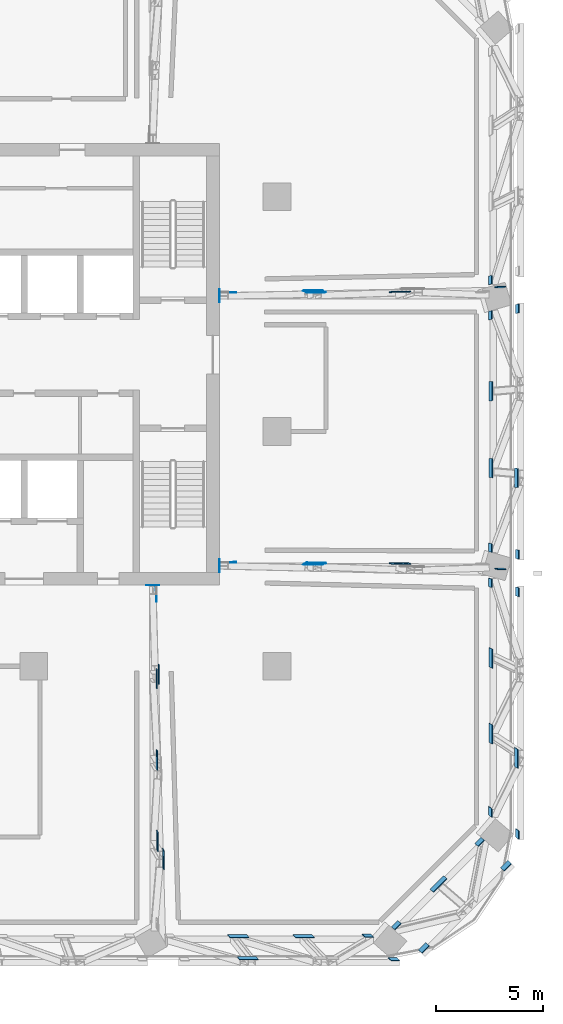
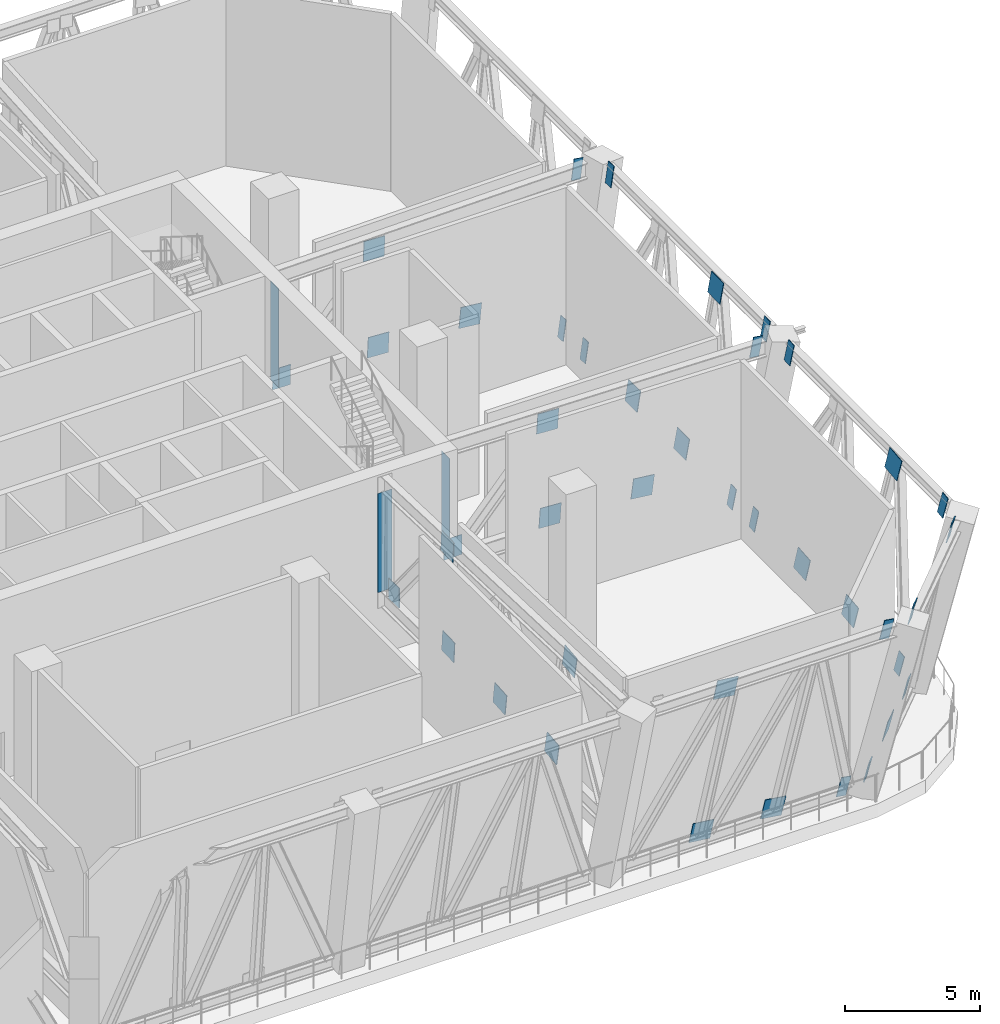
# One storey, part 11 of 24: 44 discrete accessories.
"""IFC4 building model written with IfcOpenShell, lengths in metres."""

from ifc_helpers import new_model, si_unit, direction, frame, origin, origin_2d, place, context, subcontext, project, spatial, rectangle, extrude, material, layer, layer_set, type_object, element, save


model = new_model("IFC4")

# Units and contexts
model_context = context("Model", 3, precision=1e-05, world=origin(), true_north=direction((0.0, 1.0)))
body_context = subcontext(model_context, "Body", "Model", "MODEL_VIEW")
ifc_project = project(units=[si_unit("LENGTHUNIT", "METRE"), si_unit("AREAUNIT", "SQUARE_METRE"), si_unit("VOLUMEUNIT", "CUBIC_METRE"), si_unit("PLANEANGLEUNIT", "RADIAN"), si_unit("MASSUNIT", "GRAM", prefix="KILO")], contexts=[model_context])

# Site, building, storey
site_placement = place(None, origin())
site = spatial("IfcSite", under=ifc_project, at=site_placement, CompositionType="ELEMENT")
building_placement = place(site_placement, origin())
building = spatial("IfcBuilding", under=site, at=building_placement, Name="Mopane Tessera Tower", CompositionType="ELEMENT")
storey_placement = place(building_placement, frame((0.0, 0.0, 259.0)))
storey = spatial("IfcBuildingStorey", under=building, at=storey_placement, Name="L56", CompositionType="ELEMENT", Elevation=259.0)

# Discrete accessories
ifc_material_1 = material(Name="Structural steel S460", Category="steel")
ifc_layer_1 = layer(ifc_material_1, 0.014892578125)
ifc_layer_set_1 = layer_set([ifc_layer_1], Name="Structural steel S460")
discrete_accessory_type_1 = type_object("IfcDiscreteAccessoryType", Name="Cast-in anchor plate 15 mm", PredefinedType="ANCHORPLATE", material=ifc_layer_set_1)
for number, where, z_axis, x_axis, name in (
    (1, (14.407470703125, -6.30029296875, 2.81591796875), (0.0, 0.0, 1.0), (1.0, 0.0, 0.0), "Cast-in anchor plate s ot L56 E1 p"),
    (2, (14.407470703125, 6.354248046875, 2.81591796875), (0.0, 0.0, 1.0), (1.0, 0.0, 0.0), "Cast-in anchor plate s ot L56 E2 p"),
    (3, (11.281494140625, -7.20751953125, 2.81591796875), (0.0, 0.0, 1.0), (0.0, -1.0, 0.0), "Cast-in anchor plate s ot L56 S3 p"),
):
    element("IfcDiscreteAccessory", number, at=place(storey_placement, frame(where, z_axis=z_axis, x_axis=x_axis)), inside=storey, type_object=discrete_accessory_type_1, Name=name, PredefinedType="ANCHORPLATE", context=body_context, shape_type="SweptSolid", body=[
        extrude(rectangle(XDim=0.014892578125, YDim=0.60400390625, at=origin_2d()), origin(), (0.0, 0.0, 1.0), 4.468017578125),
    ])
ifc_material_2 = material(Name="Structural steel S460", Category="steel")
ifc_layer_2 = layer(ifc_material_2, 0.030029296875)
ifc_layer_set_2 = layer_set([ifc_layer_2], Name="Structural steel S460")
discrete_accessory_type_2 = type_object("IfcDiscreteAccessoryType", Name="Truss node plate 30 mm", PredefinedType="BRACKET", material=ifc_layer_set_2)
discrete_accessory_1_placement = place(storey_placement, frame((14.80126953125, -6.13525390625, 2.427978515625), z_axis=(0.005153167956, -0.001356096831, 0.99998580283), x_axis=(-0.017105171755, 0.999852653035, 0.001444063338)))
element("IfcDiscreteAccessory", 4, at=discrete_accessory_1_placement, inside=storey, type_object=discrete_accessory_type_2, Name="Truss node plate s ot L56 E1 0", PredefinedType="BRACKET", context=body_context, shape_type="SweptSolid", body=[
    extrude(rectangle(XDim=0.030029296875, YDim=0.760498046875, at=origin_2d()), origin(), (0.0, 0.0, 1.0), 0.900146484375),
])
discrete_accessory_2_placement = place(storey_placement, frame((18.770263671875, -6.222412109375, 6.77197265625), z_axis=(0.053903128834, -0.015439589666, 0.998426798405), x_axis=(0.005345903873, 0.999870587746, 0.015173301311)))
element("IfcDiscreteAccessory", 5, at=discrete_accessory_2_placement, inside=storey, type_object=discrete_accessory_type_2, Name="Truss node plate s ot L56 E1 2", PredefinedType="BRACKET", context=body_context, shape_type="SweptSolid", body=[
    extrude(rectangle(XDim=0.030029296875, YDim=0.89990234375, at=origin_2d()), origin(), (0.0, 0.0, 1.0), 0.9013671875),
])
discrete_accessory_3_placement = place(storey_placement, frame((18.90625, -6.156982421875, 2.427978515625), z_axis=(0.058475700312, -0.016784691756, 0.998147717823), x_axis=(0.00605388455, 0.999846220801, 0.016458591437)))
element("IfcDiscreteAccessory", 6, at=discrete_accessory_3_placement, inside=storey, type_object=discrete_accessory_type_2, Name="Truss node plate s ot L56 E1 3", PredefinedType="BRACKET", context=body_context, shape_type="SweptSolid", body=[
    extrude(rectangle(XDim=0.030029296875, YDim=0.89990234375, at=origin_2d()), origin(), (0.0, 0.0, 1.0), 0.90185546875),
])
discrete_accessory_4_placement = place(storey_placement, frame((22.819091796875, -6.176025390625, 2.365966796875), z_axis=(0.10913528537, -0.031258501489, 0.993535301623), x_axis=(0.007881697426, 0.999501233605, 0.030580432775)))
element("IfcDiscreteAccessory", 7, at=discrete_accessory_4_placement, inside=storey, type_object=discrete_accessory_type_2, Name="Truss node plate s ot L56 E1 5", PredefinedType="BRACKET", context=body_context, shape_type="SweptSolid", body=[
    extrude(rectangle(XDim=0.030029296875, YDim=0.89990234375, at=origin_2d()), origin(), (0.0, 0.0, 1.0), 0.906005859375),
])
discrete_accessory_5_placement = place(storey_placement, frame((27.49462890625, -6.419189453125, 7.19189453125), z_axis=(0.158630347152, -0.045475816216, 0.986290202274), x_axis=(0.011865900726, 0.998954385817, 0.044151279213)))
element("IfcDiscreteAccessory", 8, at=discrete_accessory_5_placement, inside=storey, type_object=discrete_accessory_type_2, Name="Truss node plate s ot L56 E1 8", PredefinedType="BRACKET", context=body_context, shape_type="SweptSolid", body=[
    extrude(rectangle(XDim=0.030029296875, YDim=0.39599609375, at=origin_2d()), origin(), (0.0, 0.0, 1.0), 0.91259765625),
])
discrete_accessory_6_placement = place(storey_placement, frame((14.799560546875, 6.521728515625, 2.427978515625), z_axis=(0.005153167956, 0.001356096831, 0.99998580283), x_axis=(0.021201819938, 0.999774142698, -0.001465067885)))
element("IfcDiscreteAccessory", 9, at=discrete_accessory_6_placement, inside=storey, type_object=discrete_accessory_type_2, Name="Truss node plate s ot L56 E2 0", PredefinedType="BRACKET", context=body_context, shape_type="SweptSolid", body=[
    extrude(rectangle(XDim=0.030029296875, YDim=0.760498046875, at=origin_2d()), origin(), (0.0, 0.0, 1.0), 0.900146484375),
])
discrete_accessory_7_placement = place(storey_placement, frame((18.768310546875, 6.59375, 6.77197265625), z_axis=(0.053903128834, 0.015439589666, 0.998426798405), x_axis=(-0.001259692191, 0.999880710862, -0.015394064507)))
element("IfcDiscreteAccessory", 10, at=discrete_accessory_7_placement, inside=storey, type_object=discrete_accessory_type_2, Name="Truss node plate s ot L56 E2 2", PredefinedType="BRACKET", context=body_context, shape_type="SweptSolid", body=[
    extrude(rectangle(XDim=0.030029296875, YDim=0.89990234375, at=origin_2d()), origin(), (0.0, 0.0, 1.0), 0.9013671875),
])
discrete_accessory_8_placement = place(storey_placement, frame((18.904052734375, 6.526611328125, 2.427978515625), z_axis=(0.058745219946, 0.017055063855, 0.998127308478), x_axis=(-0.005007484548, 0.999846503384, -0.01678972215)))
element("IfcDiscreteAccessory", 11, at=discrete_accessory_8_placement, inside=storey, type_object=discrete_accessory_type_2, Name="Truss node plate s ot L56 E2 3", PredefinedType="BRACKET", context=body_context, shape_type="SweptSolid", body=[
    extrude(rectangle(XDim=0.030029296875, YDim=0.89990234375, at=origin_2d()), origin(), (0.0, 0.0, 1.0), 0.90185546875),
])
discrete_accessory_9_placement = place(storey_placement, frame((22.816650390625, 6.529541015625, 2.365966796875), z_axis=(0.109400608513, 0.031526776345, 0.9934976443), x_axis=(-0.005463469597, 0.999500858586, -0.031115658204)))
element("IfcDiscreteAccessory", 12, at=discrete_accessory_9_placement, inside=storey, type_object=discrete_accessory_type_2, Name="Truss node plate s ot L56 E2 5", PredefinedType="BRACKET", context=body_context, shape_type="SweptSolid", body=[
    extrude(rectangle(XDim=0.030029296875, YDim=0.89990234375, at=origin_2d()), origin(), (0.0, 0.0, 1.0), 0.906005859375),
])
discrete_accessory_10_placement = place(storey_placement, frame((27.491943359375, 6.7568359375, 7.19189453125), z_axis=(0.158891103966, 0.045473884973, 0.986248317041), x_axis=(-0.007432556652, 0.998965507394, -0.044862814648)))
element("IfcDiscreteAccessory", 13, at=discrete_accessory_10_placement, inside=storey, type_object=discrete_accessory_type_2, Name="Truss node plate s ot L56 E2 8", PredefinedType="BRACKET", context=body_context, shape_type="SweptSolid", body=[
    extrude(rectangle(XDim=0.030029296875, YDim=0.395751953125, at=origin_2d()), origin(), (0.0, 0.0, 1.0), 0.91259765625),
])
discrete_accessory_11_placement = place(storey_placement, frame((11.448974609375, -7.6015625, 2.42578125), z_axis=(0.00217035578, -0.003526828142, 0.999991425483), x_axis=(0.999606084513, 0.02798906158, -0.002070805989)))
element("IfcDiscreteAccessory", 14, at=discrete_accessory_11_placement, inside=storey, type_object=discrete_accessory_type_2, Name="Truss node plate s ot L56 S3 0", PredefinedType="BRACKET", context=body_context, shape_type="SweptSolid", body=[
    extrude(rectangle(XDim=0.030029296875, YDim=0.764404296875, at=origin_2d()), origin(), (0.0, 0.0, 1.0), 0.89990234375),
])
discrete_accessory_12_placement = place(storey_placement, frame((11.543701171875, -11.353759765625, 6.7744140625), z_axis=(0.020330414147, -0.035239384522, 0.9991720873), x_axis=(0.999793239196, 0.000325439074, -0.020331575111)))
element("IfcDiscreteAccessory", 15, at=discrete_accessory_12_placement, inside=storey, type_object=discrete_accessory_type_2, Name="Truss node plate s ot L56 S3 2", PredefinedType="BRACKET", context=body_context, shape_type="SweptSolid", body=[
    extrude(rectangle(XDim=0.030029296875, YDim=0.89990234375, at=origin_2d()), origin(), (0.0, 0.0, 1.0), 0.900634765625),
])
discrete_accessory_13_placement = place(storey_placement, frame((11.45556640625, -11.574951171875, 2.42578125), z_axis=(0.022224357258, -0.03848608208, 0.999011961605), x_axis=(0.99975300835, 0.000871032846, -0.022207287038)))
element("IfcDiscreteAccessory", 16, at=discrete_accessory_13_placement, inside=storey, type_object=discrete_accessory_type_2, Name="Truss node plate s ot L56 S3 3", PredefinedType="BRACKET", context=body_context, shape_type="SweptSolid", body=[
    extrude(rectangle(XDim=0.030029296875, YDim=0.89990234375, at=origin_2d()), origin(), (0.0, 0.0, 1.0), 0.90087890625),
])
discrete_accessory_14_placement = place(storey_placement, frame((11.45947265625, -15.35693359375, 2.365966796875), z_axis=(0.041354971958, -0.071627892607, 0.996573736005), x_axis=(0.999144515205, 0.002901338195, -0.04125312075)))
element("IfcDiscreteAccessory", 17, at=discrete_accessory_14_placement, inside=storey, type_object=discrete_accessory_type_2, Name="Truss node plate s ot L56 S3 5", PredefinedType="BRACKET", context=body_context, shape_type="SweptSolid", body=[
    extrude(rectangle(XDim=0.030029296875, YDim=0.89990234375, at=origin_2d()), origin(), (0.0, 0.0, 1.0), 0.9033203125),
])
discrete_accessory_15_placement = place(storey_placement, frame((11.46826171875, -19.1474609375, 2.42578125), z_axis=(0.060326503367, -0.104494121903, 0.992694158077), x_axis=(0.998178693511, 0.006221742845, -0.060004880934)))
element("IfcDiscreteAccessory", 18, at=discrete_accessory_15_placement, inside=storey, type_object=discrete_accessory_type_2, Name="Truss node plate s ot L56 S3 7", PredefinedType="BRACKET", context=body_context, shape_type="SweptSolid", body=[
    extrude(rectangle(XDim=0.030029296875, YDim=0.89990234375, at=origin_2d()), origin(), (0.0, 0.0, 1.0), 0.906494140625),
])
discrete_accessory_16_placement = place(storey_placement, frame((11.741943359375, -19.989990234375, 6.770751953125), z_axis=(0.062453158244, -0.107408664394, 0.992251471069), x_axis=(0.998043420765, 0.009698415581, -0.061767880033)))
element("IfcDiscreteAccessory", 19, at=discrete_accessory_16_placement, inside=storey, type_object=discrete_accessory_type_2, Name="Truss node plate s ot L56 S3 8", PredefinedType="BRACKET", context=body_context, shape_type="SweptSolid", body=[
    extrude(rectangle(XDim=0.030029296875, YDim=0.89990234375, at=origin_2d()), origin(), (0.0, 0.0, 1.0), 0.906982421875),
])
discrete_accessory_17_placement = place(storey_placement, frame((15.68701171875, -24.625, 7.008056640625), z_axis=(0.113546523601, -0.146064542097, 0.982737165533), x_axis=(0.016698847079, 0.989275060442, 0.145106868529)))
element("IfcDiscreteAccessory", 20, at=discrete_accessory_17_placement, inside=storey, type_object=discrete_accessory_type_2, Name="Truss node plate s bt L56 S3-S4 2", PredefinedType="BRACKET", context=body_context, shape_type="SweptSolid", body=[
    extrude(rectangle(XDim=0.030029296875, YDim=0.89990234375, at=origin_2d()), origin(), (0.0, 0.0, 1.0), 0.916015625),
])
discrete_accessory_18_placement = place(storey_placement, frame((15.239013671875, -23.59521484375, 0.08935546875), z_axis=(0.116171843053, -0.146280600542, 0.982398131506), x_axis=(0.018070823576, 0.989242738536, 0.145162838182)))
element("IfcDiscreteAccessory", 21, at=discrete_accessory_18_placement, inside=storey, type_object=discrete_accessory_type_2, Name="Truss node plate s bt L56 S3-S4 3", PredefinedType="BRACKET", context=body_context, shape_type="SweptSolid", body=[
    extrude(rectangle(XDim=0.030029296875, YDim=0.89990234375, at=origin_2d()), origin(), (0.0, 0.0, 1.0), 0.916259765625),
])
discrete_accessory_19_placement = place(storey_placement, frame((18.29150390625, -23.593017578125, 0.073974609375), z_axis=(0.139202549472, -0.145843892482, 0.979465266993), x_axis=(0.020876926933, 0.989307552138, 0.144342374942)))
element("IfcDiscreteAccessory", 22, at=discrete_accessory_19_placement, inside=storey, type_object=discrete_accessory_type_2, Name="Truss node plate s bt L56 S3-S4 5", PredefinedType="BRACKET", context=body_context, shape_type="SweptSolid", body=[
    extrude(rectangle(XDim=0.030029296875, YDim=0.89990234375, at=origin_2d()), origin(), (0.0, 0.0, 1.0), 0.9189453125),
])
discrete_accessory_20_placement = place(storey_placement, frame((21.29345703125, -23.576171875, -0.0390625), z_axis=(0.161793614852, -0.145375932166, 0.976057715783), x_axis=(0.023752512285, 0.989376489465, 0.143422384078)))
element("IfcDiscreteAccessory", 23, at=discrete_accessory_20_placement, inside=storey, type_object=discrete_accessory_type_2, Name="Truss node plate s bt L56 S3-S4 7", PredefinedType="BRACKET", context=body_context, shape_type="SweptSolid", body=[
    extrude(rectangle(XDim=0.030029296875, YDim=0.411376953125, at=origin_2d()), origin(), (0.0, 0.0, 1.0), 0.921875),
])
discrete_accessory_21_placement = place(storey_placement, frame((22.505615234375, -24.66650390625, 7.2880859375), z_axis=(0.161535728705, -0.145382155834, 0.976099501648), x_axis=(0.024504563502, 0.989375275434, 0.143304189495)))
element("IfcDiscreteAccessory", 24, at=discrete_accessory_21_placement, inside=storey, type_object=discrete_accessory_type_2, Name="Truss node plate s bt L56 S3-S4 8", PredefinedType="BRACKET", context=body_context, shape_type="SweptSolid", body=[
    extrude(rectangle(XDim=0.030029296875, YDim=0.414306640625, at=origin_2d()), origin(), (0.0, 0.0, 1.0), 0.921875),
])
discrete_accessory_22_placement = place(storey_placement, frame((22.621826171875, -23.076904296875, -0.042724609375), z_axis=(0.168186499549, -0.145179855743, 0.975005697858), x_axis=(-0.686453595515, 0.692604313811, 0.221541701934)))
element("IfcDiscreteAccessory", 25, at=discrete_accessory_22_placement, inside=storey, type_object=discrete_accessory_type_2, Name="Truss node plate s bt L56 S4-E0 0", PredefinedType="BRACKET", context=body_context, shape_type="SweptSolid", body=[
    extrude(rectangle(XDim=0.030029296875, YDim=0.4150390625, at=origin_2d()), origin(), (0.0, 0.0, 1.0), 0.92333984375),
])
discrete_accessory_23_placement = place(storey_placement, frame((23.91357421875, -24.141357421875, 7.2880859375), z_axis=(0.168236331233, -0.144958348295, 0.975030058056), x_axis=(-0.687096227056, 0.692000924737, 0.221435080619)))
element("IfcDiscreteAccessory", 26, at=discrete_accessory_23_placement, inside=storey, type_object=discrete_accessory_type_2, Name="Truss node plate s bt L56 S4-E0 1", PredefinedType="BRACKET", context=body_context, shape_type="SweptSolid", body=[
    extrude(rectangle(XDim=0.030029296875, YDim=0.489990234375, at=origin_2d()), origin(), (0.0, 0.0, 1.0), 0.9228515625),
])
discrete_accessory_24_placement = place(storey_placement, frame((24.593994140625, -21.142333984375, 0.073974609375), z_axis=(0.16819295105, -0.144920970402, 0.975043098306), x_axis=(-0.687106077615, 0.692009412326, 0.221377982999)))
element("IfcDiscreteAccessory", 27, at=discrete_accessory_24_placement, inside=storey, type_object=discrete_accessory_type_2, Name="Truss node plate s bt L56 S4-E0 3", PredefinedType="BRACKET", context=body_context, shape_type="SweptSolid", body=[
    extrude(rectangle(XDim=0.030029296875, YDim=0.89990234375, at=origin_2d()), origin(), (0.0, 0.0, 1.0), 0.923095703125),
])
discrete_accessory_25_placement = place(storey_placement, frame((26.52587890625, -19.1728515625, -0.042724609375), z_axis=(0.16819295105, -0.144920970402, 0.975043098306), x_axis=(-0.687106077615, 0.692009412326, 0.221377982999)))
element("IfcDiscreteAccessory", 28, at=discrete_accessory_25_placement, inside=storey, type_object=discrete_accessory_type_2, Name="Truss node plate s bt L56 S4-E0 5", PredefinedType="BRACKET", context=body_context, shape_type="SweptSolid", body=[
    extrude(rectangle(XDim=0.030029296875, YDim=0.4150390625, at=origin_2d()), origin(), (0.0, 0.0, 1.0), 0.923095703125),
])
discrete_accessory_26_placement = place(storey_placement, frame((27.7646484375, -20.2900390625, 7.2880859375), z_axis=(0.168486883915, -0.145210830878, 0.974949221521), x_axis=(-0.686948907614, 0.692033942833, 0.221788683876)))
element("IfcDiscreteAccessory", 29, at=discrete_accessory_26_placement, inside=storey, type_object=discrete_accessory_type_2, Name="Truss node plate s bt L56 S4-E0 6", PredefinedType="BRACKET", context=body_context, shape_type="SweptSolid", body=[
    extrude(rectangle(XDim=0.030029296875, YDim=0.489990234375, at=origin_2d()), origin(), (0.0, 0.0, 1.0), 0.923095703125),
])
discrete_accessory_27_placement = place(storey_placement, frame((27.0263671875, -17.76318359375, -0.032958984375), z_axis=(0.168412620808, -0.137695853491, 0.976051761478), x_axis=(-0.985716507474, -0.023128923761, 0.166817324579)))
element("IfcDiscreteAccessory", 30, at=discrete_accessory_27_placement, inside=storey, type_object=discrete_accessory_type_2, Name="Truss node plate s bt L56 E0-E1 0", PredefinedType="BRACKET", context=body_context, shape_type="SweptSolid", body=[
    extrude(rectangle(XDim=0.030029296875, YDim=0.404296875, at=origin_2d()), origin(), (0.0, 0.0, 1.0), 0.921875),
])
discrete_accessory_28_placement = place(storey_placement, frame((28.2900390625, -18.796142578125, 7.2880859375), z_axis=(0.168412620808, -0.137695853491, 0.976051761478), x_axis=(-0.985716513723, -0.023144909912, 0.166815070421)))
element("IfcDiscreteAccessory", 31, at=discrete_accessory_28_placement, inside=storey, type_object=discrete_accessory_type_2, Name="Truss node plate s bt L56 E0-E1 1", PredefinedType="BRACKET", context=body_context, shape_type="SweptSolid", body=[
    extrude(rectangle(XDim=0.030029296875, YDim=0.403076171875, at=origin_2d()), origin(), (0.0, 0.0, 1.0), 0.921875),
])
discrete_accessory_29_placement = place(storey_placement, frame((28.240478515625, -15.24560546875, 7.001953125), z_axis=(0.169174410783, -0.112074727395, 0.979193175127), x_axis=(-0.985585511673, -0.020349919285, 0.167949635204)))
element("IfcDiscreteAccessory", 32, at=discrete_accessory_29_placement, inside=storey, type_object=discrete_accessory_type_2, Name="Truss node plate s bt L56 E0-E1 2", PredefinedType="BRACKET", context=body_context, shape_type="SweptSolid", body=[
    extrude(rectangle(XDim=0.030029296875, YDim=0.89990234375, at=origin_2d()), origin(), (0.0, 0.0, 1.0), 0.919189453125),
])
discrete_accessory_30_placement = place(storey_placement, frame((27.048583984375, -14.108642578125, 0.095703125), z_axis=(0.169005181044, -0.109747075112, 0.979486002087), x_axis=(-0.985614835937, -0.018009399164, 0.168044805698)))
element("IfcDiscreteAccessory", 33, at=discrete_accessory_30_placement, inside=storey, type_object=discrete_accessory_type_2, Name="Truss node plate s bt L56 E0-E1 3", PredefinedType="BRACKET", context=body_context, shape_type="SweptSolid", body=[
    extrude(rectangle(XDim=0.030029296875, YDim=0.89990234375, at=origin_2d()), origin(), (0.0, 0.0, 1.0), 0.918701171875),
])
discrete_accessory_31_placement = place(storey_placement, frame((27.044677734375, -10.573974609375, 0.073974609375), z_axis=(0.169669397771, -0.082304307553, 0.982058194008), x_axis=(-0.985500809052, -0.014848896003, 0.169019719691)))
element("IfcDiscreteAccessory", 34, at=discrete_accessory_31_placement, inside=storey, type_object=discrete_accessory_type_2, Name="Truss node plate s bt L56 E0-E1 5", PredefinedType="BRACKET", context=body_context, shape_type="SweptSolid", body=[
    extrude(rectangle(XDim=0.030029296875, YDim=0.89990234375, at=origin_2d()), origin(), (0.0, 0.0, 1.0), 0.91650390625),
])
discrete_accessory_32_placement = place(storey_placement, frame((27.0263671875, -7.0693359375, -0.032958984375), z_axis=(0.169772479873, -0.055256137317, 0.983932957252), x_axis=(-0.985483249125, -0.009249633359, 0.169520529663)))
element("IfcDiscreteAccessory", 35, at=discrete_accessory_32_placement, inside=storey, type_object=discrete_accessory_type_2, Name="Truss node plate s bt L56 E0-E1 7", PredefinedType="BRACKET", context=body_context, shape_type="SweptSolid", body=[
    extrude(rectangle(XDim=0.030029296875, YDim=0.404296875, at=origin_2d()), origin(), (0.0, 0.0, 1.0), 0.91455078125),
])
discrete_accessory_33_placement = place(storey_placement, frame((28.2900390625, -7.4892578125, 7.2880859375), z_axis=(0.169772479873, -0.055256137317, 0.983932957252), x_axis=(-0.985483281372, -0.009605207843, 0.16950056672)))
element("IfcDiscreteAccessory", 36, at=discrete_accessory_33_placement, inside=storey, type_object=discrete_accessory_type_2, Name="Truss node plate s bt L56 E0-E1 8", PredefinedType="BRACKET", context=body_context, shape_type="SweptSolid", body=[
    extrude(rectangle(XDim=0.030029296875, YDim=0.421142578125, at=origin_2d()), origin(), (0.0, 0.0, 1.0), 0.91455078125),
])
discrete_accessory_34_placement = place(storey_placement, frame((27.0263671875, -5.427978515625, -0.032470703125), z_axis=(0.169836098906, -0.042191986835, 0.984568705452), x_axis=(-0.985471612564, -0.008471055725, 0.169628836123)))
element("IfcDiscreteAccessory", 37, at=discrete_accessory_34_placement, inside=storey, type_object=discrete_accessory_type_2, Name="Truss node plate s bt L56 E1-E2 0", PredefinedType="BRACKET", context=body_context, shape_type="SweptSolid", body=[
    extrude(rectangle(XDim=0.030029296875, YDim=0.403564453125, at=origin_2d()), origin(), (0.0, 0.0, 1.0), 0.914306640625),
])
discrete_accessory_35_placement = place(storey_placement, frame((28.2900390625, -5.734130859375, 7.2880859375), z_axis=(0.169880763287, -0.042203082703, 0.984560524333), x_axis=(-0.985464300843, -0.008085043526, 0.169690140656)))
element("IfcDiscreteAccessory", 38, at=discrete_accessory_35_placement, inside=storey, type_object=discrete_accessory_type_2, Name="Truss node plate s bt L56 E1-E2 1", PredefinedType="BRACKET", context=body_context, shape_type="SweptSolid", body=[
    extrude(rectangle(XDim=0.030029296875, YDim=0.421142578125, at=origin_2d()), origin(), (0.0, 0.0, 1.0), 0.9140625),
])
for number, where, z_axis, x_axis, name in (
    (39, (28.240478515625, -2.163818359375, 7.00146484375), (0.170010382023, -0.016038715285, 0.985311742352), (-0.985442268879, -0.002697386, 0.16998899616), "Truss node plate s bt L56 E1-E2 2"),
    (40, (27.048583984375, -1.70703125, 0.096435546875), (0.170017063929, -0.013366121378, 0.985350467992), (-0.985441103863, -0.002133875316, 0.170003756997), "Truss node plate s bt L56 E1-E2 3"),
):
    element("IfcDiscreteAccessory", number, at=place(storey_placement, frame(where, z_axis=z_axis, x_axis=x_axis)), inside=storey, type_object=discrete_accessory_type_2, Name=name, PredefinedType="BRACKET", context=body_context, shape_type="SweptSolid", body=[
        extrude(rectangle(XDim=0.030029296875, YDim=0.89990234375, at=origin_2d()), origin(), (0.0, 0.0, 1.0), 0.913330078125),
    ])
discrete_accessory_36_placement = place(storey_placement, frame((27.044677734375, 1.879638671875, 0.073974609375), z_axis=(0.17022861401, 0.014697918007, 0.985294976227), x_axis=(-0.985404595621, 0.002583316382, 0.170209016818)))
element("IfcDiscreteAccessory", 41, at=discrete_accessory_36_placement, inside=storey, type_object=discrete_accessory_type_2, Name="Truss node plate s bt L56 E1-E2 5", PredefinedType="BRACKET", context=body_context, shape_type="SweptSolid", body=[
    extrude(rectangle(XDim=0.030029296875, YDim=0.89990234375, at=origin_2d()), origin(), (0.0, 0.0, 1.0), 0.91357421875),
])
discrete_accessory_37_placement = place(storey_placement, frame((27.0263671875, 5.427978515625, -0.032470703125), z_axis=(0.169836098906, 0.042191986835, 0.984568705452), x_axis=(-0.985471612564, 0.008471055725, 0.169628836123)))
element("IfcDiscreteAccessory", 42, at=discrete_accessory_37_placement, inside=storey, type_object=discrete_accessory_type_2, Name="Truss node plate s bt L56 E1-E2 7", PredefinedType="BRACKET", context=body_context, shape_type="SweptSolid", body=[
    extrude(rectangle(XDim=0.030029296875, YDim=0.403564453125, at=origin_2d()), origin(), (0.0, 0.0, 1.0), 0.914306640625),
])
discrete_accessory_38_placement = place(storey_placement, frame((28.2900390625, 5.734130859375, 7.2880859375), z_axis=(0.169880763287, 0.042203082703, 0.984560524333), x_axis=(-0.985464300843, 0.008085043526, 0.169690140656)))
element("IfcDiscreteAccessory", 43, at=discrete_accessory_38_placement, inside=storey, type_object=discrete_accessory_type_2, Name="Truss node plate s bt L56 E1-E2 8", PredefinedType="BRACKET", context=body_context, shape_type="SweptSolid", body=[
    extrude(rectangle(XDim=0.030029296875, YDim=0.421142578125, at=origin_2d()), origin(), (0.0, 0.0, 1.0), 0.9140625),
])
discrete_accessory_39_placement = place(storey_placement, frame((27.0263671875, 7.0693359375, -0.032958984375), z_axis=(0.169772479873, 0.055256137317, 0.983932957252), x_axis=(-0.985483249125, 0.009249633359, 0.169520529663)))
element("IfcDiscreteAccessory", 44, at=discrete_accessory_39_placement, inside=storey, type_object=discrete_accessory_type_2, Name="Truss node plate s bt L56 E2-E3 0", PredefinedType="BRACKET", context=body_context, shape_type="SweptSolid", body=[
    extrude(rectangle(XDim=0.030029296875, YDim=0.404296875, at=origin_2d()), origin(), (0.0, 0.0, 1.0), 0.91455078125),
])

save(model, "model.ifc")
